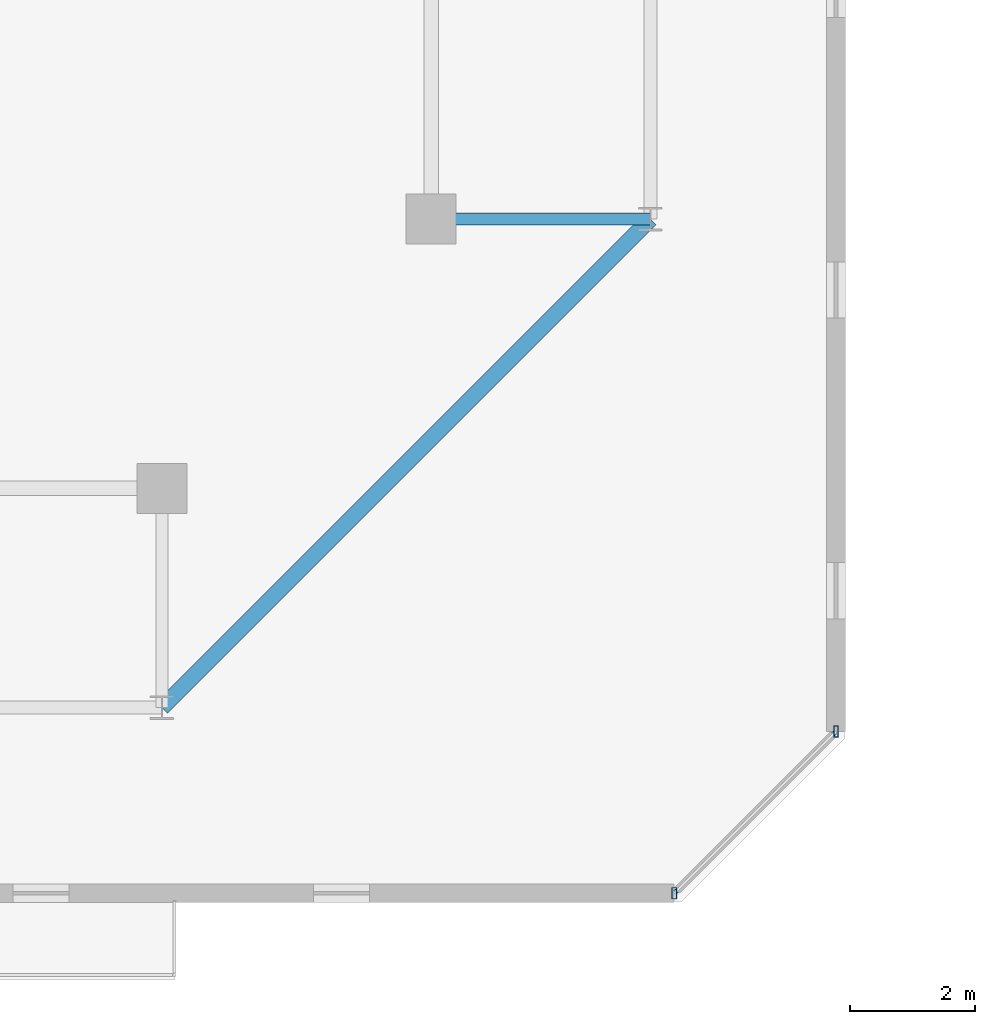
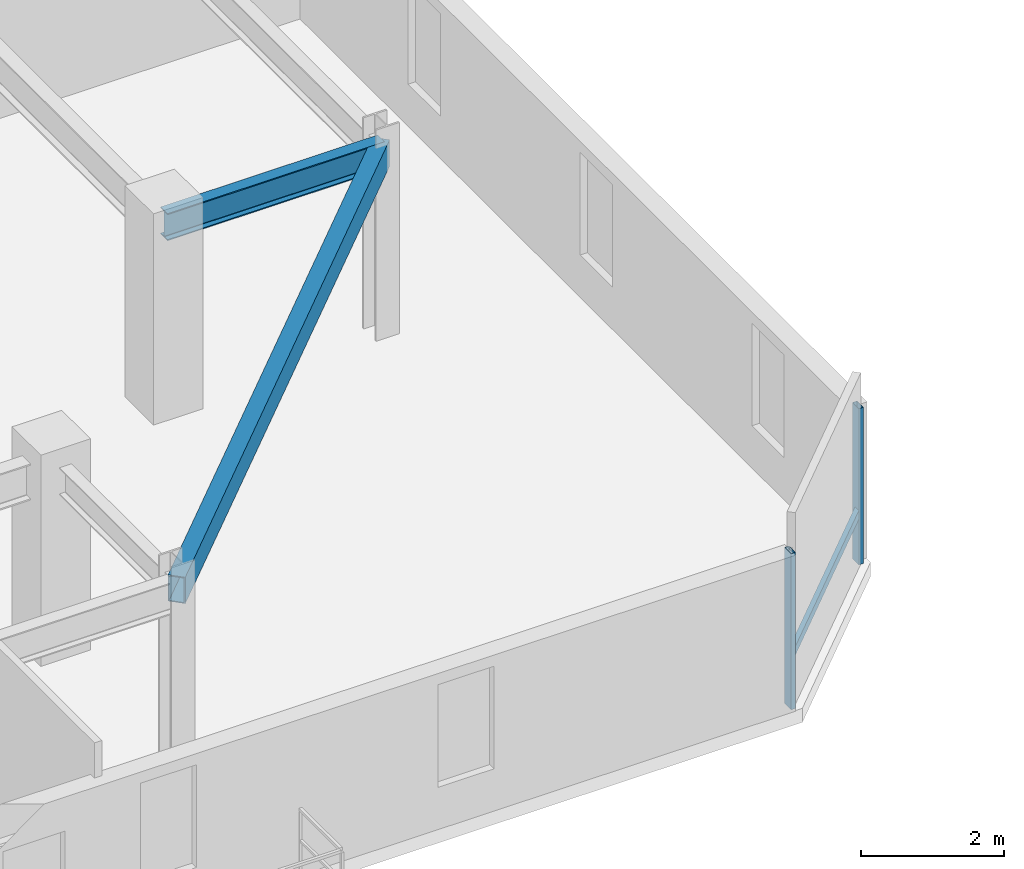
# One storey, part 7 of 35: 3 members, 2 beams, 1 element without a shape of its own.
"""IFC4 building model written with IfcOpenShell, lengths in metres."""

import ifcopenshell
import ifcopenshell.guid

model = None  # the IFC model being written
_history = None  # IfcOwnerHistory: only IFC2X3 demands one
_inside = {}  # id of a spatial element -> (the spatial element, [elements in it])
_under = {}  # id of a project, library or spatial element -> (it, [spatial elements below it])
_declared = {}  # id of a project -> (the project, [libraries it declares])
_typed = {}  # id of a type object -> (the type object, [elements of that type])
_made_of = {}  # id of a material, layer set ... -> (it, [elements and type objects made of it])


def new_model(schema):
    """Start an empty IFC model of exactly this schema.

    Asked for "IFC4X3", IfcOpenShell would pick the latest addendum, in which some entities
    have other attributes; the version numbers below select the first issue.
    IFC2X3 requires an IfcOwnerHistory on every rooted entity: one is made here for all.
    """
    global model, _history
    if schema == "IFC4X3":
        model = ifcopenshell.file(schema_version=(4, 3, 0, 0))
    else:
        model = ifcopenshell.file(schema=schema)
    _inside.clear()
    _under.clear()
    _declared.clear()
    _typed.clear()
    _made_of.clear()
    _history = None
    if model.schema == "IFC2X3":
        org = make("IfcOrganization", Name="unknown")
        user = make(
            "IfcPersonAndOrganization",
            ThePerson=make("IfcPerson", FamilyName="unknown"),
            TheOrganization=org,
        )
        app = make(
            "IfcApplication",
            ApplicationDeveloper=org,
            Version="unknown",
            ApplicationFullName="unknown",
            ApplicationIdentifier="unknown",
        )
        _history = make(
            "IfcOwnerHistory",
            OwningUser=user,
            OwningApplication=app,
            ChangeAction="ADDED",
            CreationDate=0,
        )
    return model


def make(cls, **values):
    """One entity of the class cls with the attributes given. An attribute that is None is left unset."""
    return model.create_entity(
        cls, **{name: value for name, value in values.items() if value is not None}
    )


def rooted(cls, **values):
    """An entity with a GlobalId (a new one), such as an element, a storey or a relation."""
    return make(cls, GlobalId=ifcopenshell.guid.new(), OwnerHistory=_history, **values)


def si_unit(unit_type, name, prefix=None):
    """IfcSIUnit, for example si_unit("LENGTHUNIT", "METRE", prefix="MILLI")."""
    return make("IfcSIUnit", UnitType=unit_type, Prefix=prefix, Name=name)


def assignment(units):
    """IfcUnitAssignment: the units of a project."""
    return None if units is None else make("IfcUnitAssignment", Units=units)


def point(xyz):
    """IfcCartesianPoint."""
    return None if xyz is None else make("IfcCartesianPoint", Coordinates=xyz)


def direction(xyz):
    """IfcDirection."""
    return None if xyz is None else make("IfcDirection", DirectionRatios=xyz)


def frame(location, z_axis=None, x_axis=None):
    """IfcAxis2Placement3D, a coordinate frame: its origin and axes. An axis left out is left unset."""
    return make(
        "IfcAxis2Placement3D",
        Location=point(location),
        Axis=direction(z_axis),
        RefDirection=direction(x_axis),
    )


def frame_2d(location, x_axis=None):
    """IfcAxis2Placement2D, a coordinate frame in the plane: its origin and x axis."""
    return make(
        "IfcAxis2Placement2D", Location=point(location), RefDirection=direction(x_axis)
    )


def origin():
    """The frame at (0, 0, 0) with its axes left unset."""
    return frame((0.0, 0.0, 0.0))


def origin_2d():
    """The frame at (0, 0) in the plane with its x axis left unset."""
    return frame_2d((0.0, 0.0))


def place(relative_to, where):
    """IfcLocalPlacement: puts the frame where relative to a parent placement (None: the world)."""
    return make(
        "IfcLocalPlacement", PlacementRelTo=relative_to, RelativePlacement=where
    )


def context(
    kind, dimensions, precision=None, world=None, true_north=None, identifier=None
):
    """IfcGeometricRepresentationContext, for example the 3D "Model" context."""
    return make(
        "IfcGeometricRepresentationContext",
        ContextIdentifier=identifier,
        ContextType=kind,
        CoordinateSpaceDimension=dimensions,
        Precision=precision,
        WorldCoordinateSystem=world,
        TrueNorth=true_north,
    )


def subcontext(parent, identifier, kind, view, scale=None):
    """IfcGeometricRepresentationSubContext, for example "Body" below "Model"."""
    return make(
        "IfcGeometricRepresentationSubContext",
        ContextIdentifier=identifier,
        ContextType=kind,
        ParentContext=parent,
        TargetScale=scale,
        TargetView=view,
    )


def project(units=None, contexts=None):
    """IfcProject with its units and contexts."""
    return rooted(
        "IfcProject",
        Name="project",
        RepresentationContexts=contexts,
        UnitsInContext=assignment(units),
    )


def spatial(cls, under=None, at=None, **own):
    """A site, building, storey or space (cls), placed at a placement, below another one or the project."""
    s = rooted(cls, ObjectPlacement=at, **own)
    if under is not None:
        _under.setdefault(under.id(), (under, []))[1].append(s)
    return s


def profile(cls, at=None, kind="AREA", **sizes):
    """A parametric profile (cls). Its sizes go by their IFC names, for example OverallWidth=200.0."""
    return make(cls, ProfileType=kind, Position=at, **sizes)


def hollow_rectangle(**sizes):
    """IfcRectangleHollowProfileDef."""
    return profile("IfcRectangleHollowProfileDef", **sizes)


def i_section(**sizes):
    """IfcIShapeProfileDef."""
    return profile("IfcIShapeProfileDef", **sizes)


def extrude(swept, where, along, depth):
    """IfcExtrudedAreaSolid: the profile swept, set in the frame where, extruded along a direction by depth."""
    return make(
        "IfcExtrudedAreaSolid",
        SweptArea=swept,
        Position=where,
        ExtrudedDirection=direction(along),
        Depth=depth,
    )


def shape(context_of_items, identifier, shape_type, items):
    """IfcShapeRepresentation: the items that make up one representation, for example the "Body"."""
    return make(
        "IfcShapeRepresentation",
        ContextOfItems=context_of_items,
        RepresentationIdentifier=identifier,
        RepresentationType=shape_type,
        Items=items,
    )


def material(Name=None, Category=None):
    """IfcMaterial."""
    return make("IfcMaterial", Name=Name, Category=Category)


def material_profile(
    of_material, cross_section, Name=None, Category=None, Priority=None
):
    """IfcMaterialProfile: a cross section and its material."""
    return make(
        "IfcMaterialProfile",
        Name=Name,
        Material=of_material,
        Profile=cross_section,
        Priority=Priority,
        Category=Category,
    )


def profile_set(profiles, Name=None, composite=None):
    """IfcMaterialProfileSet."""
    return make(
        "IfcMaterialProfileSet",
        Name=Name,
        MaterialProfiles=profiles,
        CompositeProfile=composite,
    )


def made_of(thing, what):
    """Note that an element or type object is made of a material, layer set ...; save() writes the relation."""
    if what is not None:
        _made_of.setdefault(what.id(), (what, []))[1].append(thing)
    return thing


def type_object(cls, material=None, **own):
    """A type object (cls), such as IfcWallType, which elements share."""
    return made_of(rooted(cls, **own), material)


def element(
    cls,
    number,
    at=None,
    inside=None,
    cuts=None,
    type_object=None,
    material=None,
    context=None,
    identifier="Body",
    shape_type=None,
    held_by="IfcProductDefinitionShape",
    body=None,
    shapes=None,
    **own,
):
    """One element of the class cls, such as IfcWall. Its Tag is "e" and its number.

    at: its placement. inside: the storey or other place that contains it. cuts: it is an
    opening in that element (IfcRelVoidsElement). A single representation is given by context,
    identifier, shape_type and body (its items); several are given by shapes. held_by: the class
    of the entity that holds the representations. save() writes the other relations.
    """
    e = rooted(cls, Tag="e%d" % number, ObjectPlacement=at, **own)
    if body is not None:
        shapes = [shape(context, identifier, shape_type, body)]
    if shapes is not None:
        e.Representation = make(held_by, Representations=shapes)
    if inside is not None:
        _inside.setdefault(inside.id(), (inside, []))[1].append(e)
    if cuts is not None:
        rooted(
            "IfcRelVoidsElement", RelatingBuildingElement=cuts, RelatedOpeningElement=e
        )
    if type_object is not None:
        _typed.setdefault(type_object.id(), (type_object, []))[1].append(e)
    return made_of(e, material)


def aggregate(whole, parts):
    """IfcRelAggregates: a whole, such as a stair, and the parts it consists of."""
    return rooted("IfcRelAggregates", RelatingObject=whole, RelatedObjects=parts)


def save(model, path):
    """Write the relations noted so far, then the file.

    IfcRelAggregates (storeys below a building ...), IfcRelContainedInSpatialStructure (elements
    in a storey), IfcRelDefinesByType, IfcRelAssociatesMaterial and IfcRelDeclares: one each for
    every whole, place, type object, material and project.
    """
    for whole, parts in _under.values():
        aggregate(whole, parts)
    for where, things in _inside.values():
        rooted(
            "IfcRelContainedInSpatialStructure",
            RelatedElements=things,
            RelatingStructure=where,
        )
    for kind, things in _typed.values():
        rooted("IfcRelDefinesByType", RelatedObjects=things, RelatingType=kind)
    for what, things in _made_of.values():
        rooted("IfcRelAssociatesMaterial", RelatedObjects=things, RelatingMaterial=what)
    for by, libraries in _declared.values():
        rooted("IfcRelDeclares", RelatingContext=by, RelatedDefinitions=libraries)
    model.write(path)


model = new_model("IFC4")

# Units and contexts
model_context = context("Model", 3, precision=1e-05, world=origin(), true_north=direction((0.0, 1.0)))
body_context = subcontext(model_context, "Body", "Model", "MODEL_VIEW")
ifc_project = project(units=[si_unit("LENGTHUNIT", "METRE"), si_unit("AREAUNIT", "SQUARE_METRE"), si_unit("VOLUMEUNIT", "CUBIC_METRE"), si_unit("PLANEANGLEUNIT", "RADIAN"), si_unit("MASSUNIT", "GRAM", prefix="KILO")], contexts=[model_context])

# Site, building, storey
site_placement = place(None, origin())
site = spatial("IfcSite", under=ifc_project, at=site_placement, CompositionType="ELEMENT")
building_placement = place(site_placement, origin())
building = spatial("IfcBuilding", under=site, at=building_placement, Name="Thornwick Lancets Civic Towers", CompositionType="ELEMENT")
storey_placement = place(building_placement, frame((0.0, 0.0, 276.300048828125)))
storey = spatial("IfcBuildingStorey", under=building, at=storey_placement, Name="L74", CompositionType="ELEMENT", Elevation=276.300048828125)

# Beams
ifc_material_1 = material(Name="Steel S355JR", Category="steel")
ifc_material_profile_1 = material_profile(ifc_material_1, i_section(OverallWidth=0.19189453125, OverallDepth=0.46337890625, WebThickness=0.010498046875, FlangeThickness=0.017578125, FilletRadius=0.01025390625, at=origin_2d()), Name="UKB 457x191x89")
ifc_profile_set_1 = profile_set([ifc_material_profile_1], Name="Steel S355JR")
beam_type_1 = type_object("IfcBeamType", Name="BM_JOIST_457_89", PredefinedType="JOIST", material=ifc_profile_set_1)
beam_1_placement = place(storey_placement, frame((42.800048828125, 14.0, 3.04833984375), z_axis=(1.0, 0.0, 0.0), x_axis=(0.0, 1.0, 0.0)))
element("IfcBeam", 1, at=beam_1_placement, inside=storey, type_object=beam_type_1, Name="BM-RAD-L74-A04", PredefinedType="JOIST", context=body_context, shape_type="SweptSolid", body=[
    extrude(i_section(OverallWidth=0.19189453125, OverallDepth=0.46337890625, WebThickness=0.010498046875, FlangeThickness=0.017578125, FilletRadius=0.01025390625, at=origin_2d()), origin(), (0.0, 0.0, 1.0), 3.5),
])
ifc_material_profile_2 = material_profile(ifc_material_1, hollow_rectangle(XDim=0.25, YDim=0.449951171875, WallThickness=0.01611328125, at=origin_2d()), Name="RHS 450x250x16")
ifc_profile_set_2 = profile_set([ifc_material_profile_2], Name="Steel S355JR")
beam_type_2 = type_object("IfcBeamType", Name="BM_RING_RHS450", PredefinedType="BEAM", material=ifc_profile_set_2)
beam_2_placement = place(storey_placement, frame((38.5, 6.199951171875, 3.054931640625), z_axis=(0.707106781187, 0.707106781187, 0.0), x_axis=(-0.707106781187, 0.707106781187, 0.0)))
element("IfcBeam", 2, at=beam_2_placement, inside=storey, type_object=beam_type_2, Name="BM-CHAMF-L74-A-C0", PredefinedType="BEAM", context=body_context, shape_type="SweptSolid", body=[
    extrude(hollow_rectangle(XDim=0.25, YDim=0.449951171875, WallThickness=0.01611328125, at=origin_2d()), origin(), (0.0, 0.0, 1.0), 11.031005859375),
])

# Curtain wall, members
ifc_material_2 = material(Name="High-zone chamfered-corner unitised glass curtain wall", Category="glass")
curtain_wall_type = type_object("IfcCurtainWallType", Name="CW_SYS_05", PredefinedType="NOTDEFINED", material=ifc_material_2)
curtain_wall_placement = place(storey_placement, origin())
curtain_wall = element("IfcCurtainWall", 3, at=curtain_wall_placement, inside=storey, type_object=curtain_wall_type, Name="L74 Curtain Wall CW-L74-A-E1", PredefinedType="NOTDEFINED")
ifc_material_3 = material(Name="Thermally broken bronze aluminium S355", Category="steel")
ifc_material_profile_3 = material_profile(ifc_material_3, hollow_rectangle(XDim=0.074951171875, YDim=0.179931640625, WallThickness=0.006103515625, at=origin_2d()), Name="RHS 180x75x6")
ifc_profile_set_3 = profile_set([ifc_material_profile_3], Name="Thermally broken bronze aluminium S355")
member_type_1 = type_object("IfcMemberType", Name="CW_MUL_180", PredefinedType="MULLION", material=ifc_profile_set_3)
member_1_placement = place(storey_placement, frame((46.681396484375, 3.2353515625, 0.0), z_axis=(0.0, 0.0, 1.0), x_axis=(1.0, 0.0, 0.0)))
member_1 = element("IfcMember", 4, at=member_1_placement, type_object=member_type_1, Name="CW-L74-A-E1 Mullion 0", PredefinedType="MULLION", context=body_context, shape_type="SweptSolid", body=[
    extrude(hollow_rectangle(XDim=0.074951171875, YDim=0.179931640625, WallThickness=0.006103515625, at=origin_2d()), origin(), (0.0, 0.0, 1.0), 2.659912109375),
])
member_2_placement = place(storey_placement, frame((49.2646484375, 5.818603515625, 0.0), z_axis=(0.0, 0.0, 1.0), x_axis=(1.0, 0.0, 0.0)))
member_2 = element("IfcMember", 5, at=member_2_placement, type_object=member_type_1, Name="CW-L74-A-E1 Mullion 1", PredefinedType="MULLION", context=body_context, shape_type="SweptSolid", body=[
    extrude(hollow_rectangle(XDim=0.074951171875, YDim=0.179931640625, WallThickness=0.006103515625, at=origin_2d()), origin(), (0.0, 0.0, 1.0), 2.659912109375),
])
ifc_material_profile_4 = material_profile(ifc_material_3, hollow_rectangle(XDim=0.074951171875, YDim=0.14990234375, WallThickness=0.0048828125, at=origin_2d()), Name="RHS 150x75x5")
ifc_profile_set_4 = profile_set([ifc_material_profile_4], Name="Thermally broken bronze aluminium S355")
member_type_2 = type_object("IfcMemberType", Name="CW_TRN_150", PredefinedType="USERDEFINED", material=ifc_profile_set_4)
member_3_placement = place(storey_placement, frame((46.695556640625, 3.24951171875, 0.849853515625), z_axis=(0.707106781187, 0.707106781187, 0.0), x_axis=(-0.707106781187, 0.707106781187, 0.0)))
member_3 = element("IfcMember", 6, at=member_3_placement, type_object=member_type_2, Name="CW-L74-A-E1 Transom 0", ObjectType="TRANSOM", PredefinedType="USERDEFINED", context=body_context, shape_type="SweptSolid", body=[
    extrude(hollow_rectangle(XDim=0.074951171875, YDim=0.14990234375, WallThickness=0.0048828125, at=origin_2d()), origin(), (0.0, 0.0, 1.0), 3.61328125),
])
aggregate(curtain_wall, [member_1, member_2, member_3])

save(model, "model.ifc")
